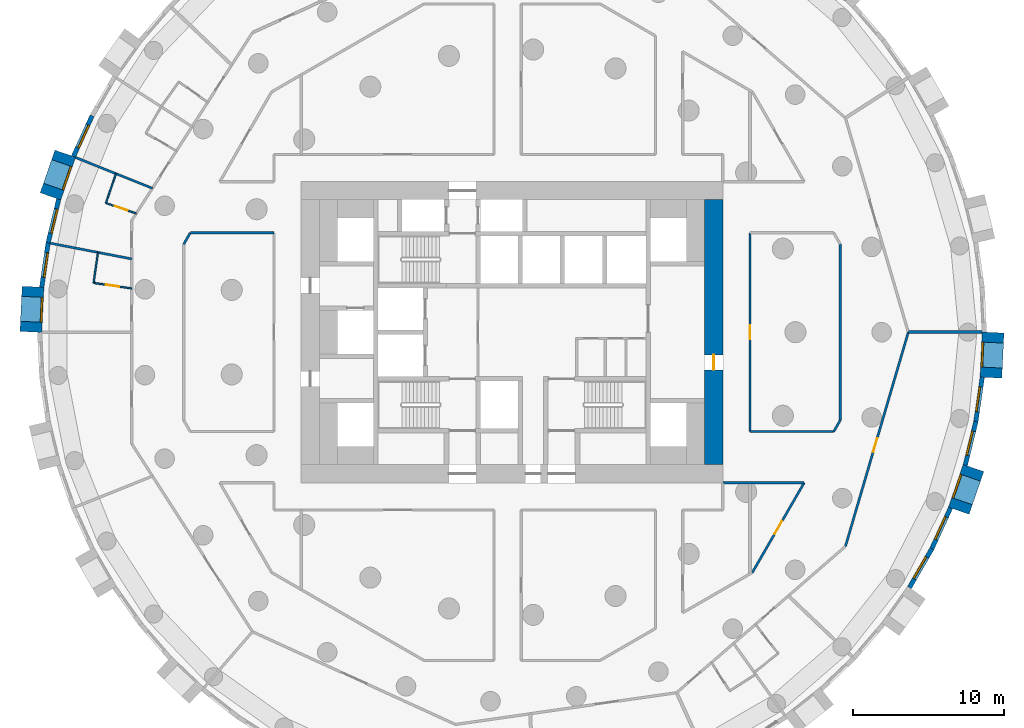
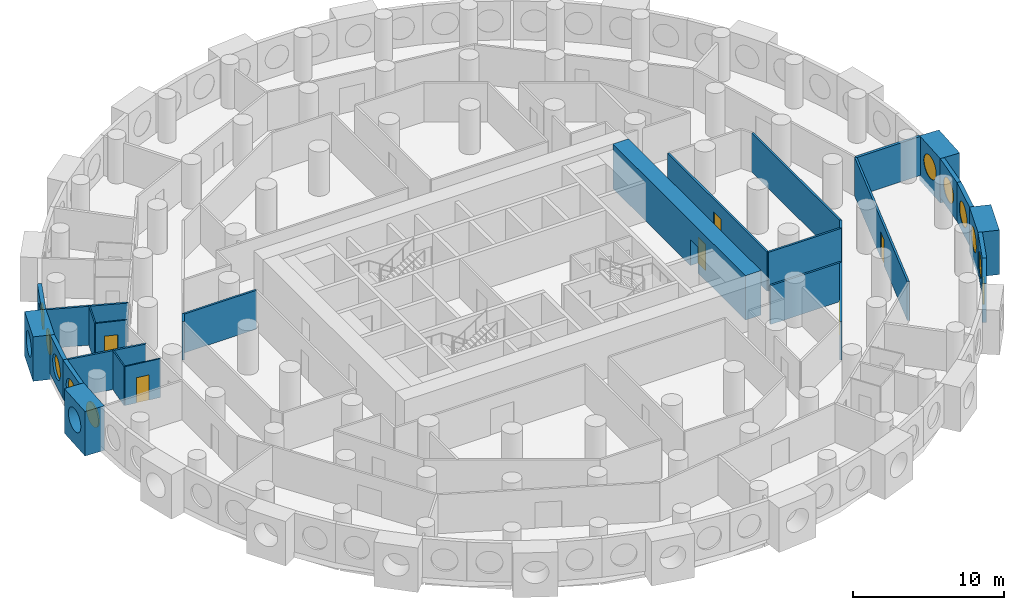
# One storey, part 6 of 11: 28 walls, 11 windows, 6 doors, 17 openings.
"""IFC4 building model written with IfcOpenShell, lengths in metres."""

from ifc_helpers import new_model, si_unit, direction, frame, frame_2d, origin, origin_2d, place, context, subcontext, project, spatial, rectangle, circle, extrude, material, layer, layer_set, type_object, element, fill, save


model = new_model("IFC4")

# Units and contexts
model_context = context("Model", 3, precision=1e-05, world=origin(), true_north=direction((0.0, 1.0)))
body_context = subcontext(model_context, "Body", "Model", "MODEL_VIEW")
ifc_project = project(units=[si_unit("LENGTHUNIT", "METRE"), si_unit("AREAUNIT", "SQUARE_METRE"), si_unit("VOLUMEUNIT", "CUBIC_METRE"), si_unit("PLANEANGLEUNIT", "RADIAN"), si_unit("MASSUNIT", "GRAM", prefix="KILO")], contexts=[model_context])

# Site, building, storey
site_placement = place(None, origin())
site = spatial("IfcSite", under=ifc_project, at=site_placement, CompositionType="ELEMENT")
building_placement = place(site_placement, origin())
building = spatial("IfcBuilding", under=site, at=building_placement, Name="Tracery Tower", CompositionType="ELEMENT")
storey_placement = place(building_placement, frame((0.0, 0.0, 67.800048828125)))
storey = spatial("IfcBuildingStorey", under=building, at=storey_placement, Name="L16", CompositionType="ELEMENT", Elevation=67.800048828125)

# Wall, opening, door
ifc_material_1 = material(Name="Concrete C60/75", Category="concrete")
ifc_layer_1 = layer(ifc_material_1, 1.199951171875)
ifc_layer_set_1 = layer_set([ifc_layer_1], Name="Core wall 1200 C60")
wall_type_1 = type_object("IfcWallType", Name="Core wall 1200 C60", PredefinedType="SOLIDWALL", material=ifc_layer_set_1)
wall_1_placement = place(storey_placement, frame((13.39990234375, -8.800048828125, 0.0), z_axis=(0.0, 0.0, 1.0), x_axis=(0.0, 1.0, 0.0)))
wall_1 = element("IfcWall", 1, at=wall_1_placement, inside=storey, type_object=wall_type_1, Name="L16 outer E", PredefinedType="SOLIDWALL", context=body_context, shape_type="SweptSolid", body=[
    extrude(rectangle(XDim=17.60009765625, YDim=1.199951171875, at=frame_2d((8.800048828125, 0.0))), origin(), (0.0, 0.0, 1.0), 3.599853515625),
])
opening_1_placement = place(wall_1_placement, frame((6.300048828125, 0.0, 0.0)))
opening_1 = element("IfcOpeningElement", 2, at=opening_1_placement, cuts=wall_1, Name="Opening KD18", PredefinedType="OPENING", context=body_context, shape_type="SweptSolid", body=[
    extrude(rectangle(XDim=1.0, YDim=2.10009765625, at=frame_2d((0.5, 1.050048828125))), frame((0.0, 0.60009765625, 0.0), z_axis=(0.0, -1.0, 0.0), x_axis=(1.0, 0.0, 0.0)), (0.0, 0.0, 1.0), 1.199951171875),
])
ifc_material_2 = material(Name="Steel fire door", Category="steel")
door_type_1 = type_object("IfcDoorType", Name="Core exit door 1000", OperationType="NOTDEFINED", PredefinedType="DOOR", material=ifc_material_2)
door_1_placement = place(opening_1_placement, origin())
door_1 = element("IfcDoor", 3, at=door_1_placement, inside=storey, type_object=door_type_1, Name="Core exit door", OperationType="DOUBLE_DOOR_SINGLE_SWING", OverallHeight=2.10009765625, OverallWidth=1.0, PredefinedType="DOOR", context=body_context, shape_type="SweptSolid", body=[
    extrude(rectangle(XDim=1.0, YDim=2.10009765625, at=frame_2d((0.5, 1.050048828125))), frame((0.0, 0.02490234375, 0.0), z_axis=(0.0, -1.0, 0.0), x_axis=(1.0, 0.0, 0.0)), (0.0, 0.0, 1.0), 0.050048828125),
])
fill(opening_1, door_1)

# Wall, opening, window
ifc_material_3 = material(Name="Precast concrete C50/60", Category="concrete")
ifc_layer_2 = layer(ifc_material_3, 1.449951171875)
ifc_layer_set_2 = layer_set([ifc_layer_2], Name="Deep-set bay unit 3000 x 3600, slab edge 450")
wall_type_2 = type_object("IfcWallType", Name="Deep-set bay unit 3000 x 3600, slab edge 450", PredefinedType="ELEMENTEDWALL", material=ifc_layer_set_2)
wall_2_placement = place(storey_placement, frame((-29.66796875, 11.85546875, -0.449951171875), z_axis=(0.0, 0.0, 1.0), x_axis=(-0.327071431777, -0.944999618262, 0.0)))
wall_2 = element("IfcWall", 4, at=wall_2_placement, inside=storey, type_object=wall_type_2, Name="Deep-set bay unit 30 at L16", PredefinedType="ELEMENTEDWALL", context=body_context, shape_type="SweptSolid", body=[
    extrude(rectangle(XDim=3.0, YDim=1.449951171875, at=frame_2d((1.5, 0.0))), origin(), (0.0, 0.0, 1.0), 3.599853515625),
])
opening_2_placement = place(wall_2_placement, frame((1.5, 0.0, 2.0)))
opening_2 = element("IfcOpeningElement", 5, at=opening_2_placement, cuts=wall_2, Name="Opening WN1", PredefinedType="OPENING", context=body_context, shape_type="SweptSolid", body=[
    extrude(circle(Radius=0.9000244140625, at=origin_2d()), frame((0.0, 0.73486328125, 0.0), z_axis=(0.0, -1.0, 0.0), x_axis=(1.0, 0.0, 0.0)), (0.0, 0.0, 1.0), 1.469970703125),
])
ifc_material_4 = material(Name="Aluminium frame with tinted double glazing", Category="aluminium")
window_type = type_object("IfcWindowType", Name="Round window 1800", PartitioningType="SINGLE_PANEL", PredefinedType="WINDOW", material=ifc_material_4)
window_1_placement = place(opening_2_placement, origin())
window_1 = element("IfcWindow", 6, at=window_1_placement, inside=storey, type_object=window_type, Name="Round window 30 at L16", OverallHeight=1.800048828125, OverallWidth=1.800048828125, PartitioningType="SINGLE_PANEL", PredefinedType="WINDOW", context=body_context, shape_type="SweptSolid", body=[
    extrude(circle(Radius=0.9000244140625, at=origin_2d()), frame((0.0, 0.69482421875, 0.0), z_axis=(0.0, -1.0, 0.0), x_axis=(1.0, 0.0, 0.0)), (0.0, 0.0, 1.0), 0.10009765625),
])
fill(opening_2, window_1)

wall_3_placement = place(storey_placement, frame((-31.806396484375, 3.016845703125, -0.449951171875), z_axis=(0.0, 0.0, 1.0), x_axis=(-0.047607680889, -0.998866111509, 0.0)))
wall_3 = element("IfcWall", 7, at=wall_3_placement, inside=storey, type_object=wall_type_2, Name="Deep-set bay unit 33 at L16", PredefinedType="ELEMENTEDWALL", context=body_context, shape_type="SweptSolid", body=[
    extrude(rectangle(XDim=3.0, YDim=1.449951171875, at=frame_2d((1.5, 0.0))), origin(), (0.0, 0.0, 1.0), 3.599853515625),
])
opening_3_placement = place(wall_3_placement, frame((1.5, 0.0, 2.0)))
opening_3 = element("IfcOpeningElement", 8, at=opening_3_placement, cuts=wall_3, Name="Opening WN1", PredefinedType="OPENING", context=body_context, shape_type="SweptSolid", body=[
    extrude(circle(Radius=0.9000244140625, at=origin_2d()), frame((0.0, 0.73486328125, 0.0), z_axis=(0.0, -1.0, 0.0), x_axis=(1.0, 0.0, 0.0)), (0.0, 0.0, 1.0), 1.469970703125),
])
window_2_placement = place(opening_3_placement, origin())
window_2 = element("IfcWindow", 9, at=window_2_placement, inside=storey, type_object=window_type, Name="Round window 33 at L16", OverallHeight=1.800048828125, OverallWidth=1.800048828125, PartitioningType="SINGLE_PANEL", PredefinedType="WINDOW", context=body_context, shape_type="SweptSolid", body=[
    extrude(circle(Radius=0.9000244140625, at=origin_2d()), frame((0.0, 0.69482421875, 0.0), z_axis=(0.0, -1.0, 0.0), x_axis=(1.0, 0.0, 0.0)), (0.0, 0.0, 1.0), 0.10009765625),
])
fill(opening_3, window_2)

wall_4_placement = place(storey_placement, frame((29.66796875, -11.85546875, -0.449951171875), z_axis=(0.0, 0.0, 1.0), x_axis=(0.327071431777, 0.944999618262, 0.0)))
wall_4 = element("IfcWall", 10, at=wall_4_placement, inside=storey, type_object=wall_type_2, Name="Deep-set bay unit 63 at L16", PredefinedType="ELEMENTEDWALL", context=body_context, shape_type="SweptSolid", body=[
    extrude(rectangle(XDim=3.0, YDim=1.449951171875, at=frame_2d((1.5, 0.0))), origin(), (0.0, 0.0, 1.0), 3.599853515625),
])
opening_4_placement = place(wall_4_placement, frame((1.5, 0.0, 2.0)))
opening_4 = element("IfcOpeningElement", 11, at=opening_4_placement, cuts=wall_4, Name="Opening WN1", PredefinedType="OPENING", context=body_context, shape_type="SweptSolid", body=[
    extrude(circle(Radius=0.9000244140625, at=origin_2d()), frame((0.0, 0.73486328125, 0.0), z_axis=(0.0, -1.0, 0.0), x_axis=(1.0, 0.0, 0.0)), (0.0, 0.0, 1.0), 1.469970703125),
])
window_3_placement = place(opening_4_placement, origin())
window_3 = element("IfcWindow", 12, at=window_3_placement, inside=storey, type_object=window_type, Name="Round window 63 at L16", OverallHeight=1.800048828125, OverallWidth=1.800048828125, PartitioningType="SINGLE_PANEL", PredefinedType="WINDOW", context=body_context, shape_type="SweptSolid", body=[
    extrude(circle(Radius=0.9000244140625, at=origin_2d()), frame((0.0, 0.69482421875, 0.0), z_axis=(0.0, -1.0, 0.0), x_axis=(1.0, 0.0, 0.0)), (0.0, 0.0, 1.0), 0.10009765625),
])
fill(opening_4, window_3)

wall_5_placement = place(storey_placement, frame((31.806396484375, -3.016845703125, -0.449951171875), z_axis=(0.0, 0.0, 1.0), x_axis=(0.047607680889, 0.998866111509, 0.0)))
wall_5 = element("IfcWall", 13, at=wall_5_placement, inside=storey, type_object=wall_type_2, Name="Deep-set bay unit 66 at L16", PredefinedType="ELEMENTEDWALL", context=body_context, shape_type="SweptSolid", body=[
    extrude(rectangle(XDim=3.0, YDim=1.449951171875, at=frame_2d((1.5, 0.0))), origin(), (0.0, 0.0, 1.0), 3.599853515625),
])
opening_5_placement = place(wall_5_placement, frame((1.5, 0.0, 2.0)))
opening_5 = element("IfcOpeningElement", 14, at=opening_5_placement, cuts=wall_5, Name="Opening WN1", PredefinedType="OPENING", context=body_context, shape_type="SweptSolid", body=[
    extrude(circle(Radius=0.9000244140625, at=origin_2d()), frame((0.0, 0.73486328125, 0.0), z_axis=(0.0, -1.0, 0.0), x_axis=(1.0, 0.0, 0.0)), (0.0, 0.0, 1.0), 1.469970703125),
])
window_4_placement = place(opening_5_placement, origin())
window_4 = element("IfcWindow", 15, at=window_4_placement, inside=storey, type_object=window_type, Name="Round window 66 at L16", OverallHeight=1.800048828125, OverallWidth=1.800048828125, PartitioningType="SINGLE_PANEL", PredefinedType="WINDOW", context=body_context, shape_type="SweptSolid", body=[
    extrude(circle(Radius=0.9000244140625, at=origin_2d()), frame((0.0, 0.69482421875, 0.0), z_axis=(0.0, -1.0, 0.0), x_axis=(1.0, 0.0, 0.0)), (0.0, 0.0, 1.0), 0.10009765625),
])
fill(opening_5, window_4)

ifc_material_5 = material(Name="Precast concrete C50/60", Category="concrete")
ifc_layer_3 = layer(ifc_material_5, 0.300048828125)
ifc_layer_set_3 = layer_set([ifc_layer_3], Name="Facade panel 3000 x 3150")
wall_type_3 = type_object("IfcWallType", Name="Facade panel 3000 x 3150", PredefinedType="SOLIDWALL", material=ifc_layer_set_3)
wall_6_placement = place(storey_placement, frame((-27.88671875, 14.376708984375, 0.0), z_axis=(0.0, 0.0, 1.0), x_axis=(-0.415407317162, -0.909635509888, 0.0)))
wall_6 = element("IfcWall", 16, at=wall_6_placement, inside=storey, type_object=wall_type_3, Name="Facade panel 29 at L16", PredefinedType="SOLIDWALL", context=body_context, shape_type="SweptSolid", body=[
    extrude(rectangle(XDim=2.979736328125, YDim=0.300048828125, at=frame_2d((1.48974609375, 0.0))), origin(), (0.0, 0.0, 1.0), 3.14990234375),
])
opening_6_placement = place(wall_6_placement, frame((1.48974609375, 0.0, 1.5498046875)))
opening_6 = element("IfcOpeningElement", 17, at=opening_6_placement, cuts=wall_6, Name="Opening WN1", PredefinedType="OPENING", context=body_context, shape_type="SweptSolid", body=[
    extrude(circle(Radius=0.9000244140625, at=origin_2d()), frame((0.0, 0.159912109375, 0.0), z_axis=(0.0, -1.0, 0.0), x_axis=(1.0, 0.0, 0.0)), (0.0, 0.0, 1.0), 0.320068359375),
])
window_5_placement = place(opening_6_placement, origin())
window_5 = element("IfcWindow", 18, at=window_5_placement, inside=storey, type_object=window_type, Name="Round window 29 at L16", OverallHeight=1.800048828125, OverallWidth=1.800048828125, PartitioningType="SINGLE_PANEL", PredefinedType="WINDOW", context=body_context, shape_type="SweptSolid", body=[
    extrude(circle(Radius=0.9000244140625, at=origin_2d()), frame((0.0, 0.1201171875, 0.0), z_axis=(0.0, -1.0, 0.0), x_axis=(1.0, 0.0, 0.0)), (0.0, 0.0, 1.0), 0.10009765625),
])
fill(opening_6, window_5)

wall_7_placement = place(storey_placement, frame((-30.10498046875, 8.833251953125, 0.0), z_axis=(0.0, 0.0, 1.0), x_axis=(-0.235743081534, -0.971815414319, 0.0)))
wall_7 = element("IfcWall", 19, at=wall_7_placement, inside=storey, type_object=wall_type_3, Name="Facade panel 31 at L16", PredefinedType="SOLIDWALL", context=body_context, shape_type="SweptSolid", body=[
    extrude(rectangle(XDim=2.9794921875, YDim=0.300048828125, at=frame_2d((1.48974609375, 0.0))), origin(), (0.0, 0.0, 1.0), 3.14990234375),
])
opening_7_placement = place(wall_7_placement, frame((1.48974609375, 0.0, 1.5498046875)))
opening_7 = element("IfcOpeningElement", 20, at=opening_7_placement, cuts=wall_7, Name="Opening WN1", PredefinedType="OPENING", context=body_context, shape_type="SweptSolid", body=[
    extrude(circle(Radius=0.9000244140625, at=origin_2d()), frame((0.0, 0.159912109375, 0.0), z_axis=(0.0, -1.0, 0.0), x_axis=(1.0, 0.0, 0.0)), (0.0, 0.0, 1.0), 0.320068359375),
])
window_6_placement = place(opening_7_placement, origin())
window_6 = element("IfcWindow", 21, at=window_6_placement, inside=storey, type_object=window_type, Name="Round window 31 at L16", OverallHeight=1.800048828125, OverallWidth=1.800048828125, PartitioningType="SINGLE_PANEL", PredefinedType="WINDOW", context=body_context, shape_type="SweptSolid", body=[
    extrude(circle(Radius=0.9000244140625, at=origin_2d()), frame((0.0, 0.1201171875, 0.0), z_axis=(0.0, -1.0, 0.0), x_axis=(1.0, 0.0, 0.0)), (0.0, 0.0, 1.0), 0.10009765625),
])
fill(opening_7, window_6)

wall_8_placement = place(storey_placement, frame((-30.807373046875, 5.937744140625, 0.0), z_axis=(0.0, 0.0, 1.0), x_axis=(-0.142315996627, -0.989821275334, 0.0)))
wall_8 = element("IfcWall", 22, at=wall_8_placement, inside=storey, type_object=wall_type_3, Name="Facade panel 32 at L16", PredefinedType="SOLIDWALL", context=body_context, shape_type="SweptSolid", body=[
    extrude(rectangle(XDim=2.979736328125, YDim=0.300048828125, at=frame_2d((1.48974609375, 0.0))), origin(), (0.0, 0.0, 1.0), 3.14990234375),
])
opening_8_placement = place(wall_8_placement, frame((1.48974609375, 0.0, 1.5498046875)))
opening_8 = element("IfcOpeningElement", 23, at=opening_8_placement, cuts=wall_8, Name="Opening WN1", PredefinedType="OPENING", context=body_context, shape_type="SweptSolid", body=[
    extrude(circle(Radius=0.9000244140625, at=origin_2d()), frame((0.0, 0.159912109375, 0.0), z_axis=(0.0, -1.0, 0.0), x_axis=(1.0, 0.0, 0.0)), (0.0, 0.0, 1.0), 0.320068359375),
])
window_7_placement = place(opening_8_placement, origin())
window_7 = element("IfcWindow", 24, at=window_7_placement, inside=storey, type_object=window_type, Name="Round window 32 at L16", OverallHeight=1.800048828125, OverallWidth=1.800048828125, PartitioningType="SINGLE_PANEL", PredefinedType="WINDOW", context=body_context, shape_type="SweptSolid", body=[
    extrude(circle(Radius=0.9000244140625, at=origin_2d()), frame((0.0, 0.1201171875, 0.0), z_axis=(0.0, -1.0, 0.0), x_axis=(1.0, 0.0, 0.0)), (0.0, 0.0, 1.0), 0.10009765625),
])
fill(opening_8, window_7)

wall_9_placement = place(storey_placement, frame((26.39697265625, -16.95703125, 0.0), z_axis=(0.0, 0.0, 1.0), x_axis=(0.499999078476, 0.866025935826, 0.0)))
wall_9 = element("IfcWall", 25, at=wall_9_placement, inside=storey, type_object=wall_type_3, Name="Facade panel 61 at L16", PredefinedType="SOLIDWALL", context=body_context, shape_type="SweptSolid", body=[
    extrude(rectangle(XDim=2.9794921875, YDim=0.300048828125, at=frame_2d((1.48974609375, 0.0))), origin(), (0.0, 0.0, 1.0), 3.14990234375),
])
opening_9_placement = place(wall_9_placement, frame((1.48974609375, 0.0, 1.5498046875)))
opening_9 = element("IfcOpeningElement", 26, at=opening_9_placement, cuts=wall_9, Name="Opening WN1", PredefinedType="OPENING", context=body_context, shape_type="SweptSolid", body=[
    extrude(circle(Radius=0.9000244140625, at=origin_2d()), frame((0.0, 0.159912109375, 0.0), z_axis=(0.0, -1.0, 0.0), x_axis=(1.0, 0.0, 0.0)), (0.0, 0.0, 1.0), 0.320068359375),
])
window_8_placement = place(opening_9_placement, origin())
window_8 = element("IfcWindow", 27, at=window_8_placement, inside=storey, type_object=window_type, Name="Round window 61 at L16", OverallHeight=1.800048828125, OverallWidth=1.800048828125, PartitioningType="SINGLE_PANEL", PredefinedType="WINDOW", context=body_context, shape_type="SweptSolid", body=[
    extrude(circle(Radius=0.9000244140625, at=origin_2d()), frame((0.0, 0.1201171875, 0.0), z_axis=(0.0, -1.0, 0.0), x_axis=(1.0, 0.0, 0.0)), (0.0, 0.0, 1.0), 0.10009765625),
])
fill(opening_9, window_8)

wall_10_placement = place(storey_placement, frame((27.88671875, -14.376708984375, 0.0), z_axis=(0.0, 0.0, 1.0), x_axis=(0.415407317162, 0.909635509888, 0.0)))
wall_10 = element("IfcWall", 28, at=wall_10_placement, inside=storey, type_object=wall_type_3, Name="Facade panel 62 at L16", PredefinedType="SOLIDWALL", context=body_context, shape_type="SweptSolid", body=[
    extrude(rectangle(XDim=2.979736328125, YDim=0.300048828125, at=frame_2d((1.48974609375, 0.0))), origin(), (0.0, 0.0, 1.0), 3.14990234375),
])
opening_10_placement = place(wall_10_placement, frame((1.48974609375, 0.0, 1.5498046875)))
opening_10 = element("IfcOpeningElement", 29, at=opening_10_placement, cuts=wall_10, Name="Opening WN1", PredefinedType="OPENING", context=body_context, shape_type="SweptSolid", body=[
    extrude(circle(Radius=0.9000244140625, at=origin_2d()), frame((0.0, 0.159912109375, 0.0), z_axis=(0.0, -1.0, 0.0), x_axis=(1.0, 0.0, 0.0)), (0.0, 0.0, 1.0), 0.320068359375),
])
window_9_placement = place(opening_10_placement, origin())
window_9 = element("IfcWindow", 30, at=window_9_placement, inside=storey, type_object=window_type, Name="Round window 62 at L16", OverallHeight=1.800048828125, OverallWidth=1.800048828125, PartitioningType="SINGLE_PANEL", PredefinedType="WINDOW", context=body_context, shape_type="SweptSolid", body=[
    extrude(circle(Radius=0.9000244140625, at=origin_2d()), frame((0.0, 0.1201171875, 0.0), z_axis=(0.0, -1.0, 0.0), x_axis=(1.0, 0.0, 0.0)), (0.0, 0.0, 1.0), 0.10009765625),
])
fill(opening_10, window_9)

wall_11_placement = place(storey_placement, frame((30.10498046875, -8.833251953125, 0.0), z_axis=(0.0, 0.0, 1.0), x_axis=(0.235743081534, 0.971815414319, 0.0)))
wall_11 = element("IfcWall", 31, at=wall_11_placement, inside=storey, type_object=wall_type_3, Name="Facade panel 64 at L16", PredefinedType="SOLIDWALL", context=body_context, shape_type="SweptSolid", body=[
    extrude(rectangle(XDim=2.9794921875, YDim=0.300048828125, at=frame_2d((1.48974609375, 0.0))), origin(), (0.0, 0.0, 1.0), 3.14990234375),
])
opening_11_placement = place(wall_11_placement, frame((1.48974609375, 0.0, 1.5498046875)))
opening_11 = element("IfcOpeningElement", 32, at=opening_11_placement, cuts=wall_11, Name="Opening WN1", PredefinedType="OPENING", context=body_context, shape_type="SweptSolid", body=[
    extrude(circle(Radius=0.9000244140625, at=origin_2d()), frame((0.0, 0.159912109375, 0.0), z_axis=(0.0, -1.0, 0.0), x_axis=(1.0, 0.0, 0.0)), (0.0, 0.0, 1.0), 0.320068359375),
])
window_10_placement = place(opening_11_placement, origin())
window_10 = element("IfcWindow", 33, at=window_10_placement, inside=storey, type_object=window_type, Name="Round window 64 at L16", OverallHeight=1.800048828125, OverallWidth=1.800048828125, PartitioningType="SINGLE_PANEL", PredefinedType="WINDOW", context=body_context, shape_type="SweptSolid", body=[
    extrude(circle(Radius=0.9000244140625, at=origin_2d()), frame((0.0, 0.1201171875, 0.0), z_axis=(0.0, -1.0, 0.0), x_axis=(1.0, 0.0, 0.0)), (0.0, 0.0, 1.0), 0.10009765625),
])
fill(opening_11, window_10)

wall_12_placement = place(storey_placement, frame((30.807373046875, -5.937744140625, 0.0), z_axis=(0.0, 0.0, 1.0), x_axis=(0.142315996627, 0.989821275334, 0.0)))
wall_12 = element("IfcWall", 34, at=wall_12_placement, inside=storey, type_object=wall_type_3, Name="Facade panel 65 at L16", PredefinedType="SOLIDWALL", context=body_context, shape_type="SweptSolid", body=[
    extrude(rectangle(XDim=2.979736328125, YDim=0.300048828125, at=frame_2d((1.48974609375, 0.0))), origin(), (0.0, 0.0, 1.0), 3.14990234375),
])
opening_12_placement = place(wall_12_placement, frame((1.48974609375, 0.0, 1.5498046875)))
opening_12 = element("IfcOpeningElement", 35, at=opening_12_placement, cuts=wall_12, Name="Opening WN1", PredefinedType="OPENING", context=body_context, shape_type="SweptSolid", body=[
    extrude(circle(Radius=0.9000244140625, at=origin_2d()), frame((0.0, 0.159912109375, 0.0), z_axis=(0.0, -1.0, 0.0), x_axis=(1.0, 0.0, 0.0)), (0.0, 0.0, 1.0), 0.320068359375),
])
window_11_placement = place(opening_12_placement, origin())
window_11 = element("IfcWindow", 36, at=window_11_placement, inside=storey, type_object=window_type, Name="Round window 65 at L16", OverallHeight=1.800048828125, OverallWidth=1.800048828125, PartitioningType="SINGLE_PANEL", PredefinedType="WINDOW", context=body_context, shape_type="SweptSolid", body=[
    extrude(circle(Radius=0.9000244140625, at=origin_2d()), frame((0.0, 0.1201171875, 0.0), z_axis=(0.0, -1.0, 0.0), x_axis=(1.0, 0.0, 0.0)), (0.0, 0.0, 1.0), 0.10009765625),
])
fill(opening_12, window_11)

# Wall
ifc_material_6 = material(Name="Plasterboard on steel studs", Category="steel")
ifc_layer_4 = layer(ifc_material_6, 0.10009765625)
ifc_layer_set_4 = layer_set([ifc_layer_4], Name="Partition 100 wet wall")
wall_type_4 = type_object("IfcWallType", Name="Partition 100 wet wall", PredefinedType="PARTITIONING", material=ifc_layer_set_4)
wall_13_placement = place(storey_placement, frame((-26.968994140625, 8.577880859375, 0.0), z_axis=(0.0, 0.0, 1.0), x_axis=(0.326825955114, 0.945084543871, 0.0)))
element("IfcWall", 37, at=wall_13_placement, inside=storey, type_object=wall_type_4, Name="Wet wall RA4-077", PredefinedType="PARTITIONING", context=body_context, shape_type="SweptSolid", body=[
    extrude(rectangle(XDim=2.0625, YDim=0.10009765625, at=frame_2d((1.03125, 0.0))), origin(), (0.0, 0.0, 1.0), 3.14990234375),
])

# Wall, opening, door
wall_14_placement = place(storey_placement, frame((-26.968994140625, 8.577880859375, 0.0), z_axis=(0.0, 0.0, 1.0), x_axis=(0.945146525342, -0.326646667877, 0.0)))
wall_14 = element("IfcWall", 38, at=wall_14_placement, inside=storey, type_object=wall_type_4, Name="Wet wall RA4-078", PredefinedType="PARTITIONING", context=body_context, shape_type="SweptSolid", body=[
    extrude(rectangle(XDim=2.133056640625, YDim=0.10009765625, at=frame_2d((1.06640625, 0.0))), origin(), (0.0, 0.0, 1.0), 3.14990234375),
])
opening_13_placement = place(wall_14_placement, frame((0.616943359375, 0.0, 0.0)))
opening_13 = element("IfcOpeningElement", 39, at=opening_13_placement, cuts=wall_14, Name="Opening RA4-22", PredefinedType="OPENING", context=body_context, shape_type="SweptSolid", body=[
    extrude(rectangle(XDim=0.89990234375, YDim=2.0400390625, at=frame_2d((0.449951171875, 1.02001953125))), frame((0.0, 0.050048828125, 0.0), z_axis=(0.0, -1.0, 0.0), x_axis=(1.0, 0.0, 0.0)), (0.0, 0.0, 1.0), 0.10009765625),
])
ifc_material_7 = material(Name="Timber door leaf", Category="wood")
door_type_2 = type_object("IfcDoorType", Name="Door en-suite 900", OperationType="NOTDEFINED", PredefinedType="DOOR", material=ifc_material_7)
door_2_placement = place(opening_13_placement, origin())
door_2 = element("IfcDoor", 40, at=door_2_placement, inside=storey, type_object=door_type_2, Name="En-suite door RA4-22", OperationType="SINGLE_SWING_RIGHT", OverallHeight=2.0400390625, OverallWidth=0.89990234375, PredefinedType="DOOR", context=body_context, shape_type="SweptSolid", body=[
    extrude(rectangle(XDim=0.89990234375, YDim=2.0400390625, at=frame_2d((0.449951171875, 1.02001953125))), frame((0.0, 0.02490234375, 0.0), z_axis=(0.0, -1.0, 0.0), x_axis=(1.0, 0.0, 0.0)), (0.0, 0.0, 1.0), 0.050048828125),
])
fill(opening_13, door_2)

# Wall
wall_15_placement = place(storey_placement, frame((-27.784912109375, 3.27294921875, 0.0), z_axis=(0.0, 0.0, 1.0), x_axis=(0.142640130423, 0.989774617372, 0.0)))
element("IfcWall", 41, at=wall_15_placement, inside=storey, type_object=wall_type_4, Name="Wet wall RA4-080", PredefinedType="PARTITIONING", context=body_context, shape_type="SweptSolid", body=[
    extrude(rectangle(XDim=2.047119140625, YDim=0.10009765625, at=frame_2d((1.0234375, 0.0))), origin(), (0.0, 0.0, 1.0), 3.14990234375),
])

# Wall, opening, door
wall_16_placement = place(storey_placement, frame((-27.784912109375, 3.27294921875, 0.0), z_axis=(0.0, 0.0, 1.0), x_axis=(0.989823118164, -0.142303178978, 0.0)))
wall_16 = element("IfcWall", 42, at=wall_16_placement, inside=storey, type_object=wall_type_4, Name="Wet wall RA4-081", PredefinedType="PARTITIONING", context=body_context, shape_type="SweptSolid", body=[
    extrude(rectangle(XDim=2.55810546875, YDim=0.10009765625, at=frame_2d((1.279052734375, 0.0))), origin(), (0.0, 0.0, 1.0), 3.14990234375),
])
opening_14_placement = place(wall_16_placement, frame((0.8291015625, 0.0, 0.0)))
opening_14 = element("IfcOpeningElement", 43, at=opening_14_placement, cuts=wall_16, Name="Opening RA4-24", PredefinedType="OPENING", context=body_context, shape_type="SweptSolid", body=[
    extrude(rectangle(XDim=0.89990234375, YDim=2.0400390625, at=frame_2d((0.449951171875, 1.02001953125))), frame((0.0, 0.050048828125, 0.0), z_axis=(0.0, -1.0, 0.0), x_axis=(1.0, 0.0, 0.0)), (0.0, 0.0, 1.0), 0.10009765625),
])
door_3_placement = place(opening_14_placement, origin())
door_3 = element("IfcDoor", 44, at=door_3_placement, inside=storey, type_object=door_type_2, Name="En-suite door RA4-24", OperationType="SINGLE_SWING_LEFT", OverallHeight=2.0400390625, OverallWidth=0.89990234375, PredefinedType="DOOR", context=body_context, shape_type="SweptSolid", body=[
    extrude(rectangle(XDim=0.89990234375, YDim=2.0400390625, at=frame_2d((0.449951171875, 1.02001953125))), frame((0.0, 0.02490234375, 0.0), z_axis=(0.0, -1.0, 0.0), x_axis=(1.0, 0.0, 0.0)), (0.0, 0.0, 1.0), 0.050048828125),
])
fill(opening_14, door_3)

# Walls
ifc_material_8 = material(Name="Plasterboard on steel studs", Category="steel")
ifc_layer_5 = layer(ifc_material_8, 0.14990234375)
ifc_layer_set_5 = layer_set([ifc_layer_5], Name="Partition 150 acoustic unit wall")
wall_type_5 = type_object("IfcWallType", Name="Partition 150 acoustic unit wall", PredefinedType="PARTITIONING", material=ifc_layer_set_5)
wall_17_placement = place(storey_placement, frame((-28.988037109375, 11.60498046875, 0.0), z_axis=(0.0, 0.0, 1.0), x_axis=(0.928335994683, -0.371742223828, 0.0)))
element("IfcWall", 45, at=wall_17_placement, inside=storey, type_object=wall_type_5, Name="Unit wall RA4-076", PredefinedType="PARTITIONING", context=body_context, shape_type="SweptSolid", body=[
    extrude(rectangle(XDim=5.507568359375, YDim=0.14990234375, at=frame_2d((2.75390625, 0.0))), origin(), (0.0, 0.0, 1.0), 3.14990234375),
])
wall_18_placement = place(storey_placement, frame((-30.659912109375, 5.908935546875, 0.0), z_axis=(0.0, 0.0, 1.0), x_axis=(0.981940925451, -0.189187787461, 0.0)))
element("IfcWall", 46, at=wall_18_placement, inside=storey, type_object=wall_type_5, Name="Unit wall RA4-079", PredefinedType="PARTITIONING", context=body_context, shape_type="SweptSolid", body=[
    extrude(rectangle(XDim=5.50634765625, YDim=0.14990234375, at=frame_2d((2.753173828125, 0.0))), origin(), (0.0, 0.0, 1.0), 3.14990234375),
])
ifc_material_9 = material(Name="Plasterboard on steel studs", Category="steel")
ifc_layer_6 = layer(ifc_material_9, 0.14990234375)
ifc_layer_set_6 = layer_set([ifc_layer_6], Name="Partition 150 corridor wall")
wall_type_6 = type_object("IfcWallType", Name="Partition 150 corridor wall", PredefinedType="PARTITIONING", material=ifc_layer_set_6)
wall_19_placement = place(storey_placement, frame((14.0, -10.0, 0.0), z_axis=(0.0, 0.0, 1.0), x_axis=(1.0, 0.0, 0.0)))
element("IfcWall", 47, at=wall_19_placement, inside=storey, type_object=wall_type_6, Name="Corridor wall RA4-012", PredefinedType="PARTITIONING", context=body_context, shape_type="SweptSolid", body=[
    extrude(rectangle(XDim=5.40087890625, YDim=0.14990234375, at=frame_2d((2.700439453125, 0.0))), origin(), (0.0, 0.0, 1.0), 3.14990234375),
])

# Wall, opening, door
wall_20_placement = place(storey_placement, frame((15.800048828125, -6.60400390625, 0.0), z_axis=(0.0, 0.0, 1.0), x_axis=(0.0, 1.0, 0.0)))
wall_20 = element("IfcWall", 48, at=wall_20_placement, inside=storey, type_object=wall_type_6, Name="Corridor wall RA4-013", PredefinedType="PARTITIONING", context=body_context, shape_type="SweptSolid", body=[
    extrude(rectangle(XDim=13.2080078125, YDim=0.14990234375, at=frame_2d((6.60400390625, 0.0))), origin(), (0.0, 0.0, 1.0), 3.14990234375),
])
opening_15_placement = place(wall_20_placement, frame((6.12890625, 0.0, 0.0)))
opening_15 = element("IfcOpeningElement", 49, at=opening_15_placement, cuts=wall_20, Name="Opening RA4-07", PredefinedType="OPENING", context=body_context, shape_type="SweptSolid", body=[
    extrude(rectangle(XDim=0.949951171875, YDim=2.10009765625, at=frame_2d((0.47509765625, 1.050048828125))), frame((0.0, 0.074951171875, 0.0), z_axis=(0.0, -1.0, 0.0), x_axis=(1.0, 0.0, 0.0)), (0.0, 0.0, 1.0), 0.14990234375),
])
ifc_material_10 = material(Name="Timber door leaf", Category="wood")
door_type_3 = type_object("IfcDoorType", Name="Door store 950", OperationType="NOTDEFINED", PredefinedType="DOOR", material=ifc_material_10)
door_4_placement = place(opening_15_placement, origin())
door_4 = element("IfcDoor", 50, at=door_4_placement, inside=storey, type_object=door_type_3, Name="Store door RA4-07", OperationType="SINGLE_SWING_LEFT", OverallHeight=2.10009765625, OverallWidth=0.949951171875, PredefinedType="DOOR", context=body_context, shape_type="SweptSolid", body=[
    extrude(rectangle(XDim=0.949951171875, YDim=2.10009765625, at=frame_2d((0.47509765625, 1.050048828125))), frame((0.0, 0.02490234375, 0.0), z_axis=(0.0, -1.0, 0.0), x_axis=(1.0, 0.0, 0.0)), (0.0, 0.0, 1.0), 0.050048828125),
])
fill(opening_15, door_4)

# Walls
wall_21_placement = place(storey_placement, frame((15.800048828125, -6.60009765625, 0.0), z_axis=(0.0, 0.0, 1.0), x_axis=(1.0, 0.0, 0.0)))
element("IfcWall", 51, at=wall_21_placement, inside=storey, type_object=wall_type_6, Name="Corridor wall RA4-015", PredefinedType="PARTITIONING", context=body_context, shape_type="SweptSolid", body=[
    extrude(rectangle(XDim=5.56396484375, YDim=0.14990234375, at=frame_2d((2.781982421875, 0.0))), origin(), (0.0, 0.0, 1.0), 3.14990234375),
])
wall_22_placement = place(storey_placement, frame((21.364013671875, -6.60009765625, 0.0), z_axis=(0.0, 0.0, 1.0), x_axis=(0.500277597875, 0.865865073245, 0.0)))
element("IfcWall", 52, at=wall_22_placement, inside=storey, type_object=wall_type_6, Name="Corridor wall RA4-016", PredefinedType="PARTITIONING", context=body_context, shape_type="SweptSolid", body=[
    extrude(rectangle(XDim=0.87548828125, YDim=0.14990234375, at=frame_2d((0.437744140625, 0.0))), origin(), (0.0, 0.0, 1.0), 3.14990234375),
])
wall_23_placement = place(storey_placement, frame((21.802001953125, -5.842041015625, 0.0), z_axis=(0.0, 0.0, 1.0), x_axis=(0.0, 1.0, 0.0)))
element("IfcWall", 53, at=wall_23_placement, inside=storey, type_object=wall_type_6, Name="Corridor wall RA4-017", PredefinedType="PARTITIONING", context=body_context, shape_type="SweptSolid", body=[
    extrude(rectangle(XDim=11.68408203125, YDim=0.14990234375, at=frame_2d((5.842041015625, 0.0))), origin(), (0.0, 0.0, 1.0), 3.14990234375),
])

# Wall, opening, door
wall_24_placement = place(storey_placement, frame((15.9599609375, -15.9599609375, 0.0), z_axis=(0.0, 0.0, 1.0), x_axis=(0.499992689227, 0.86602962462, 0.0)))
wall_24 = element("IfcWall", 54, at=wall_24_placement, inside=storey, type_object=wall_type_6, Name="Corridor wall RA4-021", PredefinedType="PARTITIONING", context=body_context, shape_type="SweptSolid", body=[
    extrude(rectangle(XDim=6.8818359375, YDim=0.14990234375, at=frame_2d((3.44091796875, 0.0))), origin(), (0.0, 0.0, 1.0), 3.14990234375),
])
opening_16_placement = place(wall_24_placement, frame((2.94091796875, 0.0, 0.0)))
opening_16 = element("IfcOpeningElement", 55, at=opening_16_placement, cuts=wall_24, Name="Opening RA4-10", PredefinedType="OPENING", context=body_context, shape_type="SweptSolid", body=[
    extrude(rectangle(XDim=1.0, YDim=2.0400390625, at=frame_2d((0.5, 1.02001953125))), frame((0.0, 0.074951171875, 0.0), z_axis=(0.0, -1.0, 0.0), x_axis=(1.0, 0.0, 0.0)), (0.0, 0.0, 1.0), 0.14990234375),
])
ifc_material_11 = material(Name="Timber door leaf", Category="wood")
door_type_4 = type_object("IfcDoorType", Name="Door communal room 1000", OperationType="NOTDEFINED", PredefinedType="DOOR", material=ifc_material_11)
door_5_placement = place(opening_16_placement, origin())
door_5 = element("IfcDoor", 56, at=door_5_placement, inside=storey, type_object=door_type_4, Name="Communal room door RA4-10", OperationType="SINGLE_SWING_LEFT", OverallHeight=2.0400390625, OverallWidth=1.0, PredefinedType="DOOR", context=body_context, shape_type="SweptSolid", body=[
    extrude(rectangle(XDim=1.0, YDim=2.0400390625, at=frame_2d((0.5, 1.02001953125))), frame((0.0, 0.02490234375, 0.0), z_axis=(0.0, -1.0, 0.0), x_axis=(1.0, 0.0, 0.0)), (0.0, 0.0, 1.0), 0.050048828125),
])
fill(opening_16, door_5)

wall_25_placement = place(storey_placement, frame((22.14111328125, -14.22900390625, 0.0), z_axis=(0.0, 0.0, 1.0), x_axis=(0.281730446162, 0.959493593363, 0.0)))
wall_25 = element("IfcWall", 57, at=wall_25_placement, inside=storey, type_object=wall_type_6, Name="Corridor wall RA4-025", PredefinedType="PARTITIONING", context=body_context, shape_type="SweptSolid", body=[
    extrude(rectangle(XDim=14.82958984375, YDim=0.14990234375, at=frame_2d((7.414794921875, 0.0))), origin(), (0.0, 0.0, 1.0), 3.14990234375),
])
opening_17_placement = place(wall_25_placement, frame((6.539794921875, 0.0, 0.0)))
opening_17 = element("IfcOpeningElement", 58, at=opening_17_placement, cuts=wall_25, Name="Opening RA4-34", PredefinedType="OPENING", context=body_context, shape_type="SweptSolid", body=[
    extrude(rectangle(XDim=0.949951171875, YDim=2.10009765625, at=frame_2d((0.47509765625, 1.050048828125))), frame((0.0, 0.074951171875, 0.0), z_axis=(0.0, -1.0, 0.0), x_axis=(1.0, 0.0, 0.0)), (0.0, 0.0, 1.0), 0.14990234375),
])
door_6_placement = place(opening_17_placement, origin())
door_6 = element("IfcDoor", 59, at=door_6_placement, inside=storey, type_object=door_type_3, Name="Store door RA4-34", OperationType="SINGLE_SWING_RIGHT", OverallHeight=2.10009765625, OverallWidth=0.949951171875, PredefinedType="DOOR", context=body_context, shape_type="SweptSolid", body=[
    extrude(rectangle(XDim=0.949951171875, YDim=2.10009765625, at=frame_2d((0.47509765625, 1.050048828125))), frame((0.0, 0.02490234375, 0.0), z_axis=(0.0, -1.0, 0.0), x_axis=(1.0, 0.0, 0.0)), (0.0, 0.0, 1.0), 0.050048828125),
])
fill(opening_17, door_6)

# Walls
wall_26_placement = place(storey_placement, frame((-21.364013671875, 6.60009765625, 0.0), z_axis=(0.0, 0.0, 1.0), x_axis=(1.0, 0.0, 0.0)))
element("IfcWall", 60, at=wall_26_placement, inside=storey, type_object=wall_type_6, Name="Corridor wall RA4-038", PredefinedType="PARTITIONING", context=body_context, shape_type="SweptSolid", body=[
    extrude(rectangle(XDim=5.56396484375, YDim=0.14990234375, at=frame_2d((2.781982421875, 0.0))), origin(), (0.0, 0.0, 1.0), 3.14990234375),
])
wall_27_placement = place(storey_placement, frame((-21.802001953125, 5.842041015625, 0.0), z_axis=(0.0, 0.0, 1.0), x_axis=(0.500277597875, 0.865865073245, 0.0)))
element("IfcWall", 61, at=wall_27_placement, inside=storey, type_object=wall_type_6, Name="Corridor wall RA4-039", PredefinedType="PARTITIONING", context=body_context, shape_type="SweptSolid", body=[
    extrude(rectangle(XDim=0.87548828125, YDim=0.14990234375, at=frame_2d((0.437744140625, 0.0))), origin(), (0.0, 0.0, 1.0), 3.14990234375),
])
ifc_material_12 = material(Name="Plasterboard on steel studs", Category="steel")
ifc_layer_7 = layer(ifc_material_12, 0.199951171875)
ifc_layer_set_7 = layer_set([ifc_layer_7], Name="Partition 200 compartment wall")
wall_type_7 = type_object("IfcWallType", Name="Partition 200 compartment wall", PredefinedType="PARTITIONING", material=ifc_layer_set_7)
wall_28_placement = place(storey_placement, frame((26.319091796875, 0.0, 0.0), z_axis=(0.0, 0.0, 1.0), x_axis=(1.0, 0.0, 0.0)))
element("IfcWall", 62, at=wall_28_placement, inside=storey, type_object=wall_type_7, Name="Compartment wall RA4-066", PredefinedType="PARTITIONING", context=body_context, shape_type="SweptSolid", body=[
    extrude(rectangle(XDim=4.905029296875, YDim=0.199951171875, at=frame_2d((2.45263671875, 0.0))), origin(), (0.0, 0.0, 1.0), 3.14990234375),
])

save(model, "model.ifc")
